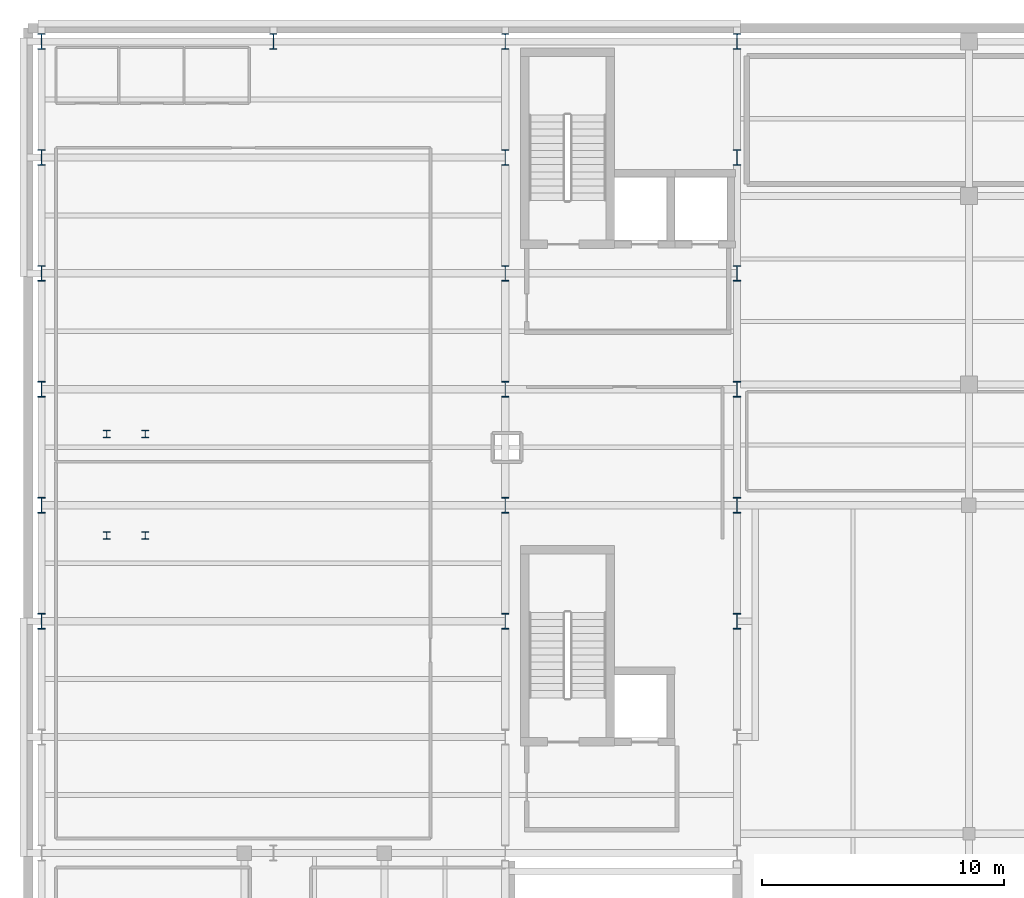
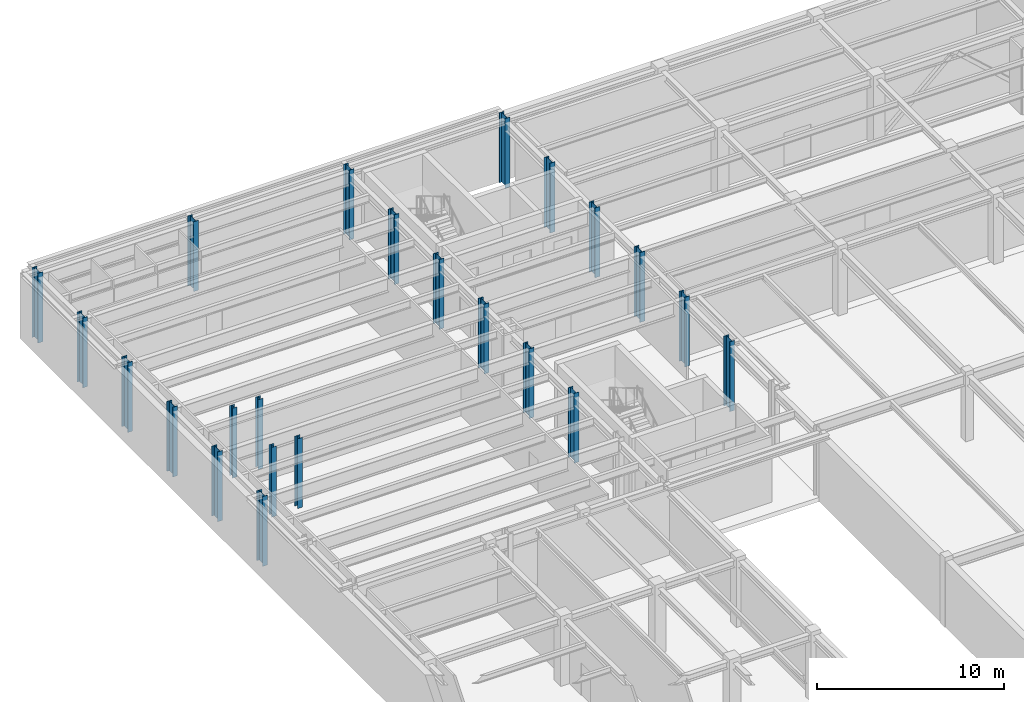
# One storey, part 9 of 32: 23 columns.
"""IFC4 building model written with IfcOpenShell, lengths in metres."""

from ifc_helpers import new_model, si_unit, direction, frame, origin, origin_2d, place, context, subcontext, project, spatial, i_section, extrude, material, material_profile, profile_set, type_object, element, save


model = new_model("IFC4")

# Units and contexts
model_context = context("Model", 3, precision=1e-05, world=origin(), true_north=direction((0.0, 1.0)))
body_context = subcontext(model_context, "Body", "Model", "MODEL_VIEW")
ifc_project = project(units=[si_unit("LENGTHUNIT", "METRE"), si_unit("AREAUNIT", "SQUARE_METRE"), si_unit("VOLUMEUNIT", "CUBIC_METRE"), si_unit("PLANEANGLEUNIT", "RADIAN"), si_unit("MASSUNIT", "GRAM", prefix="KILO")], contexts=[model_context])

# Site, building, storey
site_placement = place(None, origin())
site = spatial("IfcSite", under=ifc_project, at=site_placement, CompositionType="ELEMENT")
building_placement = place(site_placement, origin())
building = spatial("IfcBuilding", under=site, at=building_placement, Name="Nordkorset Police Headquarters", CompositionType="ELEMENT")
storey_placement = place(building_placement, frame((0.0, 0.0, -4.550048828125)))
storey = spatial("IfcBuildingStorey", under=building, at=storey_placement, Name="B01", CompositionType="ELEMENT", Elevation=-4.550048828125)

# Columns
ifc_material_1 = material(Name="Steel S355J2", Category="steel")
ifc_material_profile_1 = material_profile(ifc_material_1, i_section(OverallWidth=0.300048828125, OverallDepth=0.300048828125, WebThickness=0.010986328125, FlangeThickness=0.01904296875, FilletRadius=0.027099609375, at=origin_2d()), Name="HEB 300")
ifc_profile_set_1 = profile_set([ifc_material_profile_1], Name="Steel S355J2")
column_type_1 = type_object("IfcColumnType", Name="Col_HEB_300", PredefinedType="COLUMN", material=ifc_profile_set_1)
for number, where, z_axis, x_axis, name in (
    (1, (2.699951171875, 96.35009765625, 0.0), (0.0, 0.0, 1.0), (1.0, 0.0, 0.0), "Atrium Stair Post B01 1"),
    (2, (4.300048828125, 96.35009765625, 0.0), (0.0, 0.0, 1.0), (1.0, 0.0, 0.0), "Atrium Stair Post B01 2"),
    (3, (2.699951171875, 100.550048828125, 0.0), (0.0, 0.0, 1.0), (1.0, 0.0, 0.0), "Atrium Stair Post B01 3"),
    (4, (4.300048828125, 100.550048828125, 0.0), (0.0, 0.0, 1.0), (1.0, 0.0, 0.0), "Atrium Stair Post B01 4"),
):
    element("IfcColumn", number, at=place(storey_placement, frame(where, z_axis=z_axis, x_axis=x_axis)), inside=storey, type_object=column_type_1, Name=name, PredefinedType="COLUMN", context=body_context, shape_type="SweptSolid", body=[
        extrude(i_section(OverallWidth=0.300048828125, OverallDepth=0.300048828125, WebThickness=0.010986328125, FlangeThickness=0.01904296875, FilletRadius=0.027099609375, at=origin_2d()), origin(), (0.0, 0.0, 1.0), 4.550048828125),
    ])
ifc_material_2 = material(Name="Steel S355J2", Category="steel")
ifc_material_profile_2 = material_profile(ifc_material_2, i_section(OverallWidth=0.300048828125, OverallDepth=0.64990234375, WebThickness=0.01611328125, FlangeThickness=0.031005859375, FilletRadius=0.027099609375, at=origin_2d()), Name="HEB 650")
ifc_profile_set_2 = profile_set([ifc_material_profile_2], Name="Steel S355J2")
column_type_2 = type_object("IfcColumnType", Name="Col_HEB_650", PredefinedType="COLUMN", material=ifc_profile_set_2)
for number, where, z_axis, x_axis, name in (
    (5, (0.0, 92.800048828125, 0.0), (0.0, 0.0, 1.0), (1.0, 0.0, 0.0), "Structural Column V1_W_2 B01"),
    (6, (28.800048828125, 92.800048828125, 0.0), (0.0, 0.0, 1.0), (1.0, 0.0, 0.0), "Structural Column V1_E_2 B01"),
    (7, (0.0, 97.60009765625, 0.0), (0.0, 0.0, 1.0), (1.0, 0.0, 0.0), "Structural Column V1_W_3 B01"),
    (8, (28.800048828125, 97.60009765625, 0.0), (0.0, 0.0, 1.0), (1.0, 0.0, 0.0), "Structural Column V1_E_3 B01"),
    (9, (0.0, 102.39990234375, 0.0), (0.0, 0.0, 1.0), (1.0, 0.0, 0.0), "Structural Column V1_W_4 B01"),
    (10, (28.800048828125, 102.39990234375, 0.0), (0.0, 0.0, 1.0), (1.0, 0.0, 0.0), "Structural Column V1_E_4 B01"),
    (11, (0.0, 107.199951171875, 0.0), (0.0, 0.0, 1.0), (1.0, 0.0, 0.0), "Structural Column V1_W_5 B01"),
    (12, (28.800048828125, 107.199951171875, 0.0), (0.0, 0.0, 1.0), (1.0, 0.0, 0.0), "Structural Column V1_E_5 B01"),
    (13, (0.0, 112.0, 0.0), (0.0, 0.0, 1.0), (1.0, 0.0, 0.0), "Structural Column V1_W_6 B01"),
    (14, (28.800048828125, 112.0, 0.0), (0.0, 0.0, 1.0), (1.0, 0.0, 0.0), "Structural Column V1_E_6 B01"),
    (15, (0.0, 116.800048828125, 0.0), (0.0, 0.0, 1.0), (1.0, 0.0, 0.0), "Structural Column V1_W_7 B01"),
    (16, (28.800048828125, 116.800048828125, 0.0), (0.0, 0.0, 1.0), (1.0, 0.0, 0.0), "Structural Column V1_E_7 B01"),
    (17, (9.60009765625, 116.800048828125, 0.0), (0.0, 0.0, 1.0), (1.0, 0.0, 0.0), "Structural Column V1_N_0 B01"),
    (18, (19.199951171875, 116.800048828125, 0.0), (0.0, 0.0, 1.0), (1.0, 0.0, 0.0), "Structural Column V1_N_1 B01"),
    (19, (19.199951171875, 92.800048828125, 0.0), (0.0, 0.0, 1.0), (1.0, 0.0, 0.0), "Structural Column V1_CW_1 B01"),
    (20, (19.199951171875, 97.60009765625, 0.0), (0.0, 0.0, 1.0), (1.0, 0.0, 0.0), "Structural Column V1_CW_2 B01"),
    (21, (19.199951171875, 102.39990234375, 0.0), (0.0, 0.0, 1.0), (1.0, 0.0, 0.0), "Structural Column V1_CW_3 B01"),
    (22, (19.199951171875, 107.199951171875, 0.0), (0.0, 0.0, 1.0), (1.0, 0.0, 0.0), "Structural Column V1_CW_4 B01"),
    (23, (19.199951171875, 112.0, 0.0), (0.0, 0.0, 1.0), (1.0, 0.0, 0.0), "Structural Column V1_CW_5 B01"),
):
    element("IfcColumn", number, at=place(storey_placement, frame(where, z_axis=z_axis, x_axis=x_axis)), inside=storey, type_object=column_type_2, Name=name, PredefinedType="COLUMN", context=body_context, shape_type="SweptSolid", body=[
        extrude(i_section(OverallWidth=0.300048828125, OverallDepth=0.64990234375, WebThickness=0.01611328125, FlangeThickness=0.031005859375, FilletRadius=0.027099609375, at=origin_2d()), origin(), (0.0, 0.0, 1.0), 4.550048828125),
    ])

save(model, "model.ifc")
